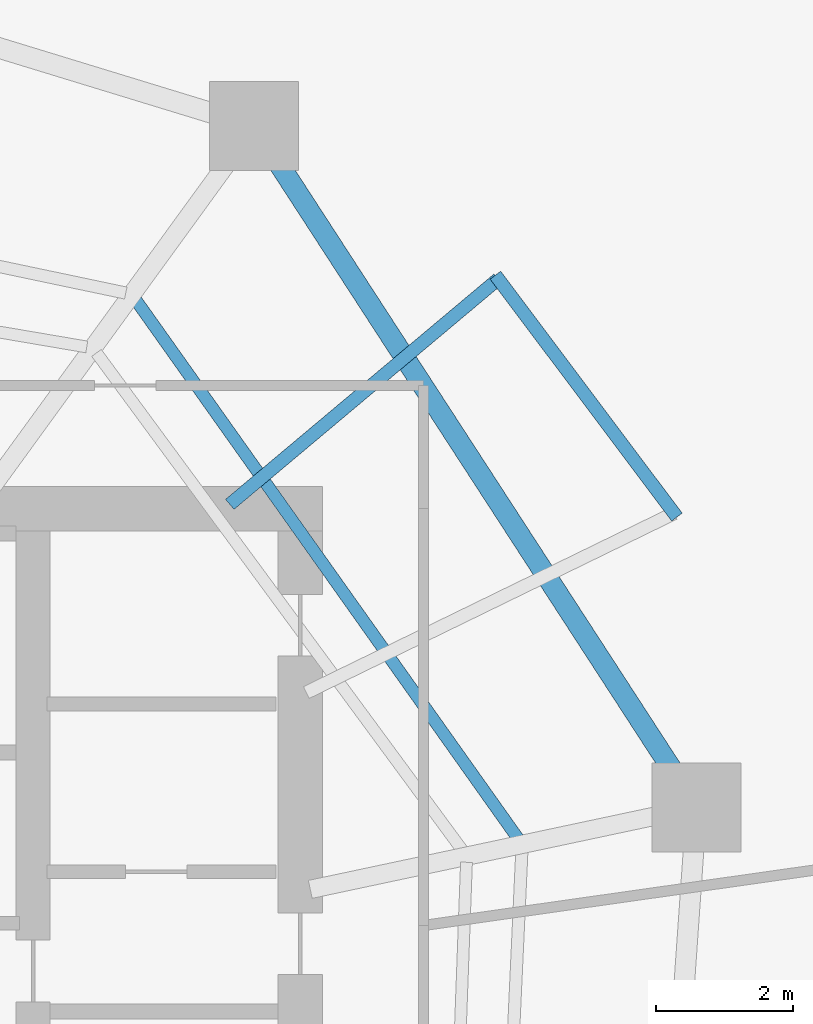
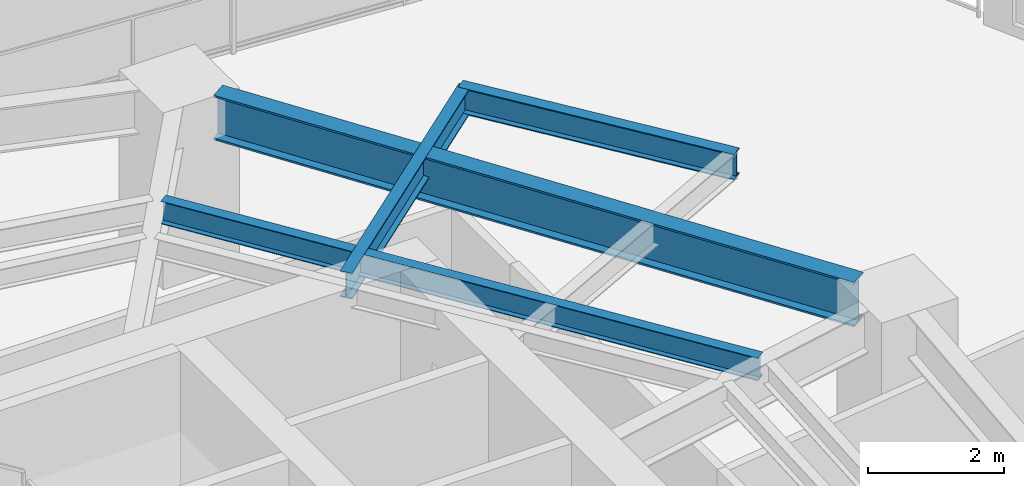
# One storey, part 23 of 30: 4 beams.
"""IFC4 building model written with IfcOpenShell, lengths in metres."""

from ifc_helpers import new_model, si_unit, direction, frame, origin, origin_2d, place, context, subcontext, project, spatial, i_section, extrude, material, material_profile, profile_set, type_object, element, save


model = new_model("IFC4")

# Units and contexts
model_context = context("Model", 3, precision=1e-05, world=origin(), true_north=direction((0.0, 1.0)))
body_context = subcontext(model_context, "Body", "Model", "MODEL_VIEW")
ifc_project = project(units=[si_unit("LENGTHUNIT", "METRE"), si_unit("AREAUNIT", "SQUARE_METRE"), si_unit("VOLUMEUNIT", "CUBIC_METRE"), si_unit("PLANEANGLEUNIT", "RADIAN"), si_unit("MASSUNIT", "GRAM", prefix="KILO")], contexts=[model_context])

# Site, building, storey
site_placement = place(None, origin())
site = spatial("IfcSite", under=ifc_project, at=site_placement, CompositionType="ELEMENT")
building_placement = place(site_placement, origin())
building = spatial("IfcBuilding", under=site, at=building_placement, Name="Qarnah Convention Tower", CompositionType="ELEMENT")
storey_placement = place(building_placement, frame((0.0, 0.0, 51.14990234375)))
storey = spatial("IfcBuildingStorey", under=building, at=storey_placement, Name="L12", CompositionType="ELEMENT", Elevation=51.14990234375)

# Beams
ifc_material = material(Name="Structural steel S355JR", Category="steel")
ifc_material_profile_1 = material_profile(ifc_material, i_section(OverallWidth=0.19189453125, OverallDepth=0.464111328125, WebThickness=0.010986328125, FlangeThickness=0.01806640625, at=origin_2d()), Name="W460X89")
ifc_profile_set_1 = profile_set([ifc_material_profile_1], Name="Structural steel S355JR")
beam_type_1 = type_object("IfcBeamType", Name="BM-CANT-W460A", PredefinedType="BEAM", material=ifc_profile_set_1)
beam_1_placement = place(storey_placement, frame((46.572021484375, 34.263916015625, 2.93798828125), z_axis=(0.765964185984, 0.64288324429, 0.0), x_axis=(-0.64288324429, 0.765964185984, 0.0)))
element("IfcBeam", 1, at=beam_1_placement, inside=storey, type_object=beam_type_1, Name="L12 beam BM-L12-CNT-01-2", PredefinedType="BEAM", context=body_context, shape_type="SweptSolid", body=[
    extrude(i_section(OverallWidth=0.19189453125, OverallDepth=0.464111328125, WebThickness=0.010986328125, FlangeThickness=0.01806640625, at=origin_2d()), origin(), (0.0, 0.0, 1.0), 5.11767578125),
])
beam_2_placement = place(storey_placement, frame((53.10107421875, 34.077880859375, 2.93798828125), z_axis=(-0.600282994859, 0.799787675626, 0.0), x_axis=(-0.799787675626, -0.600282994859, 0.0)))
element("IfcBeam", 2, at=beam_2_placement, inside=storey, type_object=beam_type_1, Name="L12 spandrel BM-L12-CTIE-01", PredefinedType="SPANDREL", context=body_context, shape_type="SweptSolid", body=[
    extrude(i_section(OverallWidth=0.19189453125, OverallDepth=0.464111328125, WebThickness=0.010986328125, FlangeThickness=0.01806640625, at=origin_2d()), origin(), (0.0, 0.0, 1.0), 4.41650390625),
])
ifc_material_profile_2 = material_profile(ifc_material, i_section(OverallWidth=0.177978515625, OverallDepth=0.407958984375, WebThickness=0.008056640625, FlangeThickness=0.012939453125, at=origin_2d()), Name="W410X60")
ifc_profile_set_2 = profile_set([ifc_material_profile_2], Name="Structural steel S355JR")
beam_type_2 = type_object("IfcBeamType", Name="BM-JST-W410", PredefinedType="JOIST", material=ifc_profile_set_2)
beam_3_placement = place(storey_placement, frame((50.7890625, 29.373046875, 2.966064453125), z_axis=(-0.578803887341, 0.815466774307, 0.0), x_axis=(-0.815466774307, -0.578803887341, 0.0)))
element("IfcBeam", 3, at=beam_3_placement, inside=storey, type_object=beam_type_2, Name="L12 joist BM-L12-SJST-01", PredefinedType="JOIST", context=body_context, shape_type="SweptSolid", body=[
    extrude(i_section(OverallWidth=0.177978515625, OverallDepth=0.407958984375, WebThickness=0.008056640625, FlangeThickness=0.012939453125, at=origin_2d()), origin(), (0.0, 0.0, 1.0), 9.668212890625),
])
ifc_material_profile_3 = material_profile(ifc_material, i_section(OverallWidth=0.300048828125, OverallDepth=0.800048828125, WebThickness=0.01806640625, FlangeThickness=0.032958984375, at=origin_2d()), Name="HEB800")
ifc_profile_set_3 = profile_set([ifc_material_profile_3], Name="Structural steel S355JR")
beam_type_3 = type_object("IfcBeamType", Name="BM-RING-HEB800", PredefinedType="BEAM", material=ifc_profile_set_3)
beam_4_placement = place(storey_placement, frame((53.0390625, 30.3779296875, 2.77001953125), z_axis=(-0.544579515688, 0.838709217246, 0.0), x_axis=(-0.838709217246, -0.544579515688, 0.0)))
element("IfcBeam", 4, at=beam_4_placement, inside=storey, type_object=beam_type_3, Name="L12 beam BM-L12-SPN-01", PredefinedType="BEAM", context=body_context, shape_type="SweptSolid", body=[
    extrude(i_section(OverallWidth=0.300048828125, OverallDepth=0.800048828125, WebThickness=0.01806640625, FlangeThickness=0.032958984375, at=origin_2d()), origin(), (0.0, 0.0, 1.0), 10.58056640625),
])

save(model, "model.ifc")
